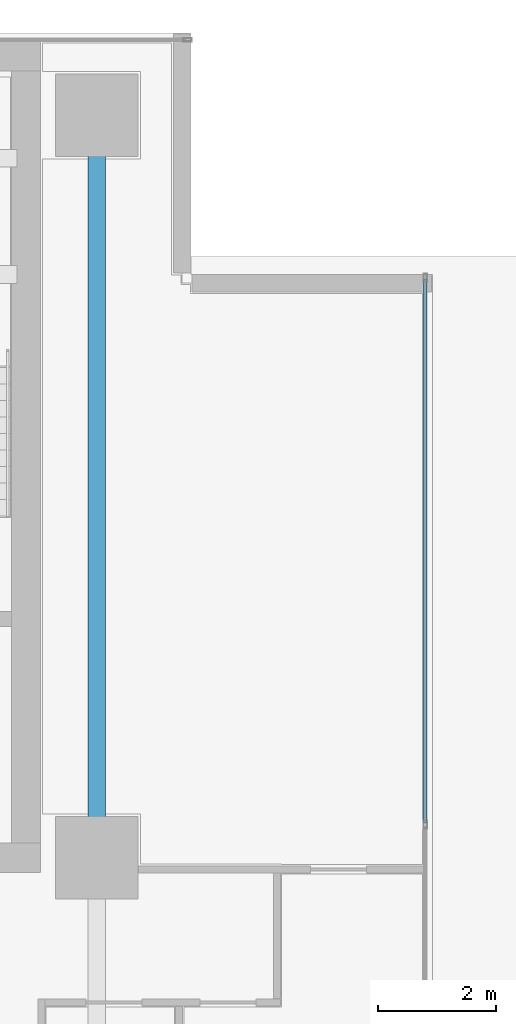
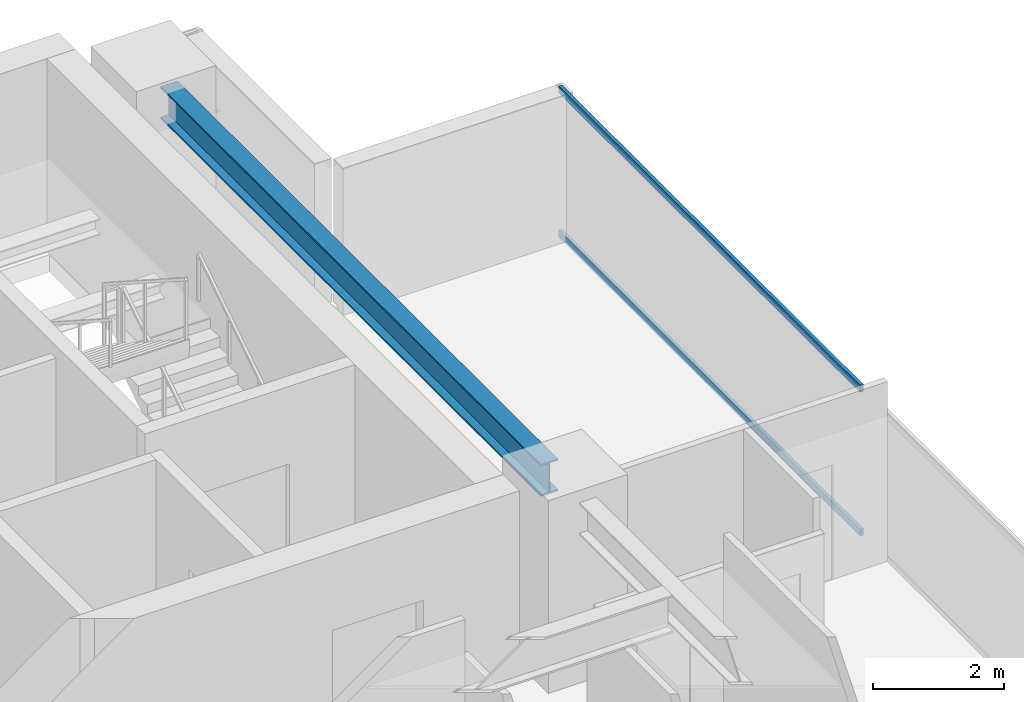
# One storey, part 14 of 27: 2 members, 1 beam, 1 element without a shape of its own.
"""IFC4 building model written with IfcOpenShell, lengths in metres."""

from ifc_helpers import new_model, si_unit, direction, frame, origin, origin_2d, place, context, subcontext, project, spatial, hollow_rectangle, i_section, extrude, source, transform, mapped, material, layer, layer_set, material_profile, profile_set, type_object, element, aggregate, save


model = new_model("IFC4")

# Units and contexts
model_context = context("Model", 3, precision=1e-05, world=origin(), true_north=direction((0.0, 1.0)))
body_context = subcontext(model_context, "Body", "Model", "MODEL_VIEW")
ifc_project = project(units=[si_unit("LENGTHUNIT", "METRE"), si_unit("AREAUNIT", "SQUARE_METRE"), si_unit("VOLUMEUNIT", "CUBIC_METRE"), si_unit("PLANEANGLEUNIT", "RADIAN"), si_unit("MASSUNIT", "GRAM", prefix="KILO")], contexts=[model_context])

# Site, building, storey
site_placement = place(None, origin())
site = spatial("IfcSite", under=ifc_project, at=site_placement, CompositionType="ELEMENT")
building_placement = place(site_placement, origin())
building = spatial("IfcBuilding", under=site, at=building_placement, Name="Sumidabori Civic Tower", CompositionType="ELEMENT")
storey_placement = place(building_placement, frame((0.0, 0.0, 228.800048828125)))
storey = spatial("IfcBuildingStorey", under=building, at=storey_placement, Name="L59", CompositionType="ELEMENT", Elevation=228.800048828125)

# Beam
ifc_material_1 = material(Name="Steel SN490", Category="steel")
ifc_material_profile_1 = material_profile(ifc_material_1, i_section(OverallWidth=0.300048828125, OverallDepth=0.60009765625, WebThickness=0.015380859375, FlangeThickness=0.030029296875, at=origin_2d()), Name="HE 600 B")
ifc_profile_set_1 = profile_set([ifc_material_profile_1], Name="Steel SN490")
beam_type = type_object("IfcBeamType", Name="BM-GIRD-600", PredefinedType="BEAM", material=ifc_profile_set_1)
shared_shape_1 = source(origin(), body_context, "Body", "SweptSolid", [
    extrude(i_section(OverallWidth=0.300048828125, OverallDepth=0.60009765625, WebThickness=0.015380859375, FlangeThickness=0.030029296875, at=origin_2d()), origin(), (0.0, 0.0, 1.0), 11.64013671875),
])
beam_placement = place(storey_placement, frame((16.800048828125, 10.679931640625, 3.070068359375), z_axis=(0.0, 1.0, 0.0), x_axis=(-1.0, 0.0, 0.0)))
element("IfcBeam", 1, at=beam_placement, inside=storey, type_object=beam_type, Name="Primary Girder L59 GY-13", PredefinedType="BEAM", context=body_context, shape_type="MappedRepresentation", body=[
    mapped(shared_shape_1, transform((0.0, 0.0, 0.0), x_axis=(1.0, 0.0, 0.0), y_axis=(0.0, 1.0, 0.0), z_axis=(0.0, 0.0, 1.0), scale=1.0)),
])

# Curtain wall, members
ifc_material_2 = material(Name="Anodised Bronze Aluminium AW-6063-T6", Category="aluminium")
ifc_layer = layer(ifc_material_2, 0.179931640625, Name="Anodised Bronze Aluminium AW-6063-T6")
ifc_layer_set = layer_set([ifc_layer], Name="Anodised Bronze Aluminium AW-6063-T6")
curtain_wall_type = type_object("IfcCurtainWallType", Name="CW-SYS-5", PredefinedType="NOTDEFINED", material=ifc_layer_set)
curtain_wall_placement = place(storey_placement, origin())
curtain_wall = element("IfcCurtainWall", 2, at=curtain_wall_placement, inside=storey, type_object=curtain_wall_type, Name="Curtain Wall CW:L59:R05", PredefinedType="NOTDEFINED")
ifc_material_profile_2 = material_profile(ifc_material_2, hollow_rectangle(XDim=0.06005859375, YDim=0.1298828125, WallThickness=0.0048828125, at=origin_2d()), Name="ALU TRANSOM 130x60")
ifc_profile_set_2 = profile_set([ifc_material_profile_2], Name="Anodised Bronze Aluminium AW-6063-T6")
member_type = type_object("IfcMemberType", Name="CW-TRN-130", PredefinedType="USERDEFINED", material=ifc_profile_set_2)
shared_shape_2 = source(origin(), body_context, "Body", "SweptSolid", [
    extrude(hollow_rectangle(XDim=0.06005859375, YDim=0.1298828125, WallThickness=0.0048828125, at=origin_2d()), origin(), (0.0, 0.0, 1.0), 9.223388671875),
])
member_1_placement = place(storey_placement, frame((22.3798828125, 10.78662109375, 0.030029296875), z_axis=(0.0, 1.0, 0.0), x_axis=(-1.0, 0.0, 0.0)))
member_1 = element("IfcMember", 3, at=member_1_placement, type_object=member_type, Name="CW-5 transom 3.1", ObjectType="TRANSOM", PredefinedType="USERDEFINED", context=body_context, shape_type="MappedRepresentation", body=[
    mapped(shared_shape_2, transform((0.0, 0.0, 0.0), x_axis=(1.0, 0.0, 0.0), y_axis=(0.0, 1.0, 0.0), z_axis=(0.0, 0.0, 1.0), scale=1.0)),
])
member_2_placement = place(storey_placement, frame((22.3798828125, 10.78662109375, 2.719970703125), z_axis=(0.0, 1.0, 0.0), x_axis=(-1.0, 0.0, 0.0)))
member_2 = element("IfcMember", 4, at=member_2_placement, type_object=member_type, Name="CW-5 transom 3.2", ObjectType="TRANSOM", PredefinedType="USERDEFINED", context=body_context, shape_type="MappedRepresentation", body=[
    mapped(shared_shape_2, transform((0.0, 0.0, 0.0), x_axis=(1.0, 0.0, 0.0), y_axis=(0.0, 1.0, 0.0), z_axis=(0.0, 0.0, 1.0), scale=1.0)),
])
aggregate(curtain_wall, [member_1, member_2])

save(model, "model.ifc")
